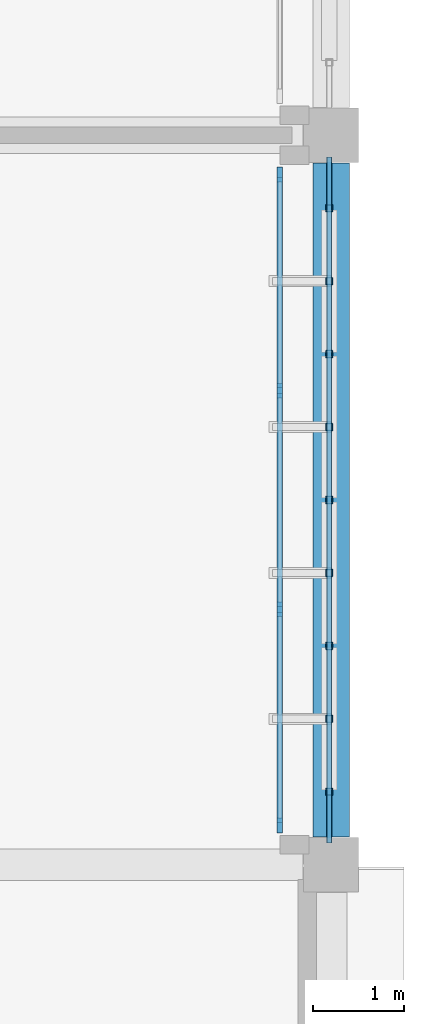
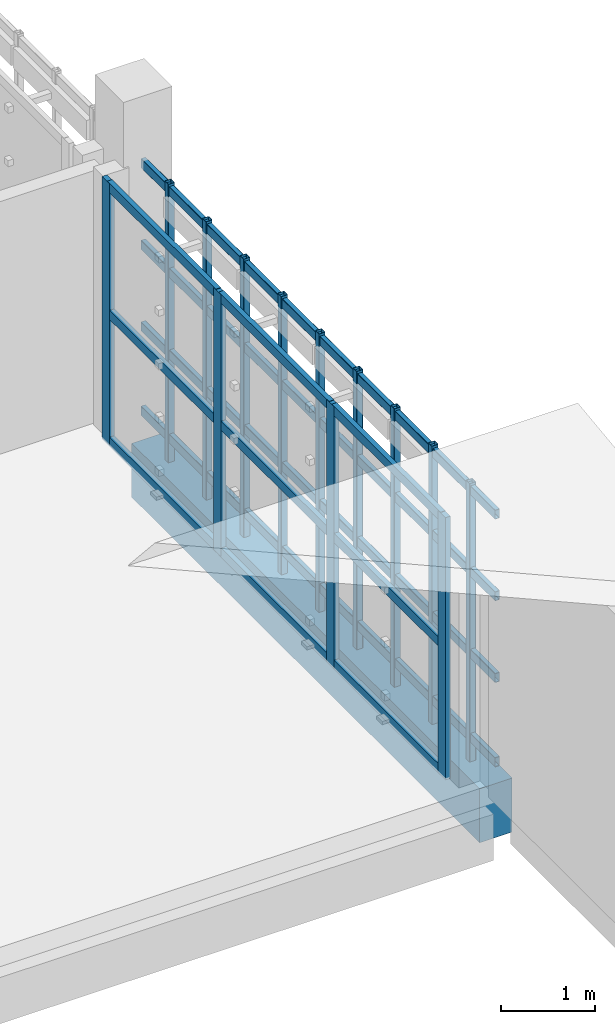
# One storey, part 48 of 83: 26 members, 1 beam, 1 element without a shape of its own.
"""IFC4 building model written with IfcOpenShell, lengths in metres."""

from ifc_helpers import new_model, si_unit, direction, frame, origin, origin_2d, place, context, subcontext, project, spatial, rectangle, hollow_rectangle, extrude, material, layer, layer_set, material_profile, profile_set, type_object, element, aggregate, save


model = new_model("IFC4")

# Units and contexts
model_context = context("Model", 3, precision=1e-05, world=origin(), true_north=direction((0.0, 1.0)))
body_context = subcontext(model_context, "Body", "Model", "MODEL_VIEW")
ifc_project = project(units=[si_unit("LENGTHUNIT", "METRE"), si_unit("AREAUNIT", "SQUARE_METRE"), si_unit("VOLUMEUNIT", "CUBIC_METRE"), si_unit("PLANEANGLEUNIT", "RADIAN"), si_unit("MASSUNIT", "GRAM", prefix="KILO")], contexts=[model_context])

# Site, building, storey
site_placement = place(None, origin())
site = spatial("IfcSite", under=ifc_project, at=site_placement, CompositionType="ELEMENT")
building_placement = place(site_placement, origin())
building = spatial("IfcBuilding", under=site, at=building_placement, Name="Jelvoka-Kovrelna Polytechnic", CompositionType="ELEMENT")
storey_placement = place(building_placement, frame((0.0, 0.0, 13.800048828125)))
storey = spatial("IfcBuildingStorey", under=building, at=storey_placement, Name="L04", CompositionType="ELEMENT", Elevation=13.800048828125)

# Beam
ifc_material_1 = material(Name="Concrete C40/50", Category="concrete")
ifc_material_profile_1 = material_profile(ifc_material_1, rectangle(XDim=0.39990234375, YDim=0.699951171875, at=origin_2d()), Name="RC 400x700")
ifc_profile_set_1 = profile_set([ifc_material_profile_1], Name="Concrete C40/50")
beam_type = type_object("IfcBeamType", Name="Beam_RC_400x700", PredefinedType="BEAM", material=ifc_profile_set_1)
beam_placement = place(storey_placement, frame((200.0, 32.304931640625, -0.60009765625), z_axis=(0.0, 1.0, 0.0), x_axis=(-1.0, 0.0, 0.0)))
element("IfcBeam", 1, at=beam_placement, inside=storey, type_object=beam_type, Name="L04 beam 1256", PredefinedType="BEAM", context=body_context, shape_type="SweptSolid", body=[
    extrude(rectangle(XDim=0.39990234375, YDim=0.699951171875, at=origin_2d()), origin(), (0.0, 0.0, 1.0), 7.39013671875),
])

# Members
ifc_material_2 = material(Name="Structural steel S355J2H", Category="steel")
ifc_material_profile_2 = material_profile(ifc_material_2, hollow_rectangle(XDim=0.06005859375, YDim=0.1201171875, WallThickness=0.0048828125, InnerFilletRadius=0.0048828125, OuterFilletRadius=0.007568359375, at=origin_2d()), Name="120x60x5.0 RHS")
ifc_profile_set_2 = profile_set([ifc_material_profile_2], Name="Structural steel S355J2H")
member_type_1 = type_object("IfcMemberType", Name="Member_Strut_RHS120", PredefinedType="STRUT", material=ifc_profile_set_2)
for number, where, z_axis, x_axis, name in (
    (2, (199.97998046875, 32.239990234375, 0.079833984375), (0.0, 1.0, 0.0), (-1.0, 0.0, 0.0), "L04 terracotta screen horizontal strut 0456"),
    (3, (199.97998046875, 32.239990234375, 1.17138671875), (0.0, 1.0, 0.0), (-1.0, 0.0, 0.0), "L04 terracotta screen horizontal strut 0457"),
    (4, (199.97998046875, 32.239990234375, 2.230712890625), (0.0, 1.0, 0.0), (-1.0, 0.0, 0.0), "L04 terracotta screen horizontal strut 0458"),
    (5, (199.97998046875, 32.239990234375, 3.2900390625), (0.0, 1.0, 0.0), (-1.0, 0.0, 0.0), "L04 terracotta screen horizontal strut 0459"),
):
    element("IfcMember", number, at=place(storey_placement, frame(where, z_axis=z_axis, x_axis=x_axis)), inside=storey, type_object=member_type_1, Name=name, PredefinedType="STRUT", context=body_context, shape_type="SweptSolid", body=[
        extrude(hollow_rectangle(XDim=0.06005859375, YDim=0.1201171875, WallThickness=0.0048828125, InnerFilletRadius=0.0048828125, OuterFilletRadius=0.007568359375, at=origin_2d()), origin(), (0.0, 0.0, 1.0), 7.52001953125),
    ])
ifc_material_3 = material(Name="Structural steel S355J2H", Category="steel")
ifc_material_profile_3 = material_profile(ifc_material_3, hollow_rectangle(XDim=0.080078125, YDim=0.080078125, WallThickness=0.0048828125, InnerFilletRadius=0.0048828125, OuterFilletRadius=0.007568359375, at=origin_2d()), Name="80x80x5.0 SHS")
ifc_profile_set_3 = profile_set([ifc_material_profile_3], Name="Structural steel S355J2H")
member_type_2 = type_object("IfcMemberType", Name="Member_Strut_SHS80", PredefinedType="STRUT", material=ifc_profile_set_3)
for number, where, z_axis, x_axis, name in (
    (6, (199.97998046875, 32.800048828125, -0.22998046875), (0.0, 0.0, 1.0), (1.0, 0.0, 0.0), "L04 terracotta lattice vertical rib 0460"),
    (7, (199.97998046875, 33.60009765625, -0.22998046875), (0.0, 0.0, 1.0), (1.0, 0.0, 0.0), "L04 terracotta lattice vertical rib 0461"),
    (8, (199.97998046875, 34.39990234375, -0.22998046875), (0.0, 0.0, 1.0), (1.0, 0.0, 0.0), "L04 terracotta lattice vertical rib 0462"),
    (9, (199.97998046875, 35.199951171875, -0.22998046875), (0.0, 0.0, 1.0), (1.0, 0.0, 0.0), "L04 terracotta lattice vertical rib 0463"),
    (10, (199.97998046875, 36.0, -0.22998046875), (0.0, 0.0, 1.0), (1.0, 0.0, 0.0), "L04 terracotta lattice vertical rib 0464"),
    (11, (199.97998046875, 36.800048828125, -0.22998046875), (0.0, 0.0, 1.0), (1.0, 0.0, 0.0), "L04 terracotta lattice vertical rib 0465"),
    (12, (199.97998046875, 37.60009765625, -0.22998046875), (0.0, 0.0, 1.0), (1.0, 0.0, 0.0), "L04 terracotta lattice vertical rib 0466"),
    (13, (199.97998046875, 38.39990234375, -0.22998046875), (0.0, 0.0, 1.0), (1.0, 0.0, 0.0), "L04 terracotta lattice vertical rib 0467"),
    (14, (199.97998046875, 39.199951171875, -0.22998046875), (0.0, 0.0, 1.0), (1.0, 0.0, 0.0), "L04 terracotta lattice vertical rib 0468"),
):
    element("IfcMember", number, at=place(storey_placement, frame(where, z_axis=z_axis, x_axis=x_axis)), inside=storey, type_object=member_type_2, Name=name, PredefinedType="STRUT", context=body_context, shape_type="SweptSolid", body=[
        extrude(hollow_rectangle(XDim=0.080078125, YDim=0.080078125, WallThickness=0.0048828125, InnerFilletRadius=0.0048828125, OuterFilletRadius=0.007568359375, at=origin_2d()), origin(), (0.0, 0.0, 1.0), 3.60986328125),
    ])

# Curtain wall, members
ifc_material_4 = material(Name="Anodised aluminium 6063-T6", Category="aluminium")
ifc_layer = layer(ifc_material_4, 0.159912109375)
ifc_layer_set = layer_set([ifc_layer], Name="Anodised aluminium 6063-T6")
curtain_wall_type = type_object("IfcCurtainWallType", Name="CW_Recessed_A", PredefinedType="NOTDEFINED", material=ifc_layer_set)
curtain_wall_placement = place(storey_placement, origin())
curtain_wall = element("IfcCurtainWall", 15, at=curtain_wall_placement, inside=storey, type_object=curtain_wall_type, Name="L04 glazed curtain wall 068", PredefinedType="NOTDEFINED")
ifc_material_5 = material(Name="Anodised aluminium 6063-T6", Category="aluminium")
ifc_material_profile_4 = material_profile(ifc_material_5, rectangle(XDim=0.06005859375, YDim=0.159912109375, at=origin_2d()), Name="ALU 60x160")
ifc_profile_set_4 = profile_set([ifc_material_profile_4], Name="Anodised aluminium 6063-T6")
member_type_3 = type_object("IfcMemberType", Name="Mullion_M-01", PredefinedType="MULLION", material=ifc_profile_set_4)
member_1_placement = place(storey_placement, frame((199.43994140625, 39.570068359375, -0.02490234375), z_axis=(0.0, 0.0, 1.0), x_axis=(1.0, 0.0, 0.0)))
member_1 = element("IfcMember", 16, at=member_1_placement, type_object=member_type_3, Name="CW-01 mullion 1", PredefinedType="MULLION", context=body_context, shape_type="SweptSolid", body=[
    extrude(rectangle(XDim=0.06005859375, YDim=0.159912109375, at=origin_2d()), origin(), (0.0, 0.0, 1.0), 3.39990234375),
])
member_2_placement = place(storey_placement, frame((199.43994140625, 37.199951171875, -0.02490234375), z_axis=(0.0, 0.0, 1.0), x_axis=(1.0, 0.0, 0.0)))
member_2 = element("IfcMember", 17, at=member_2_placement, type_object=member_type_3, Name="CW-01 mullion 2", PredefinedType="MULLION", context=body_context, shape_type="SweptSolid", body=[
    extrude(rectangle(XDim=0.06005859375, YDim=0.159912109375, at=origin_2d()), origin(), (0.0, 0.0, 1.0), 3.39990234375),
])
member_3_placement = place(storey_placement, frame((199.43994140625, 34.800048828125, -0.02490234375), z_axis=(0.0, 0.0, 1.0), x_axis=(1.0, 0.0, 0.0)))
member_3 = element("IfcMember", 18, at=member_3_placement, type_object=member_type_3, Name="CW-01 mullion 3", PredefinedType="MULLION", context=body_context, shape_type="SweptSolid", body=[
    extrude(rectangle(XDim=0.06005859375, YDim=0.159912109375, at=origin_2d()), origin(), (0.0, 0.0, 1.0), 3.39990234375),
])
member_4_placement = place(storey_placement, frame((199.43994140625, 32.429931640625, -0.02490234375), z_axis=(0.0, 0.0, 1.0), x_axis=(1.0, 0.0, 0.0)))
member_4 = element("IfcMember", 19, at=member_4_placement, type_object=member_type_3, Name="CW-01 mullion 4", PredefinedType="MULLION", context=body_context, shape_type="SweptSolid", body=[
    extrude(rectangle(XDim=0.06005859375, YDim=0.159912109375, at=origin_2d()), origin(), (0.0, 0.0, 1.0), 3.39990234375),
])
ifc_material_6 = material(Name="Anodised aluminium 6063-T6", Category="aluminium")
ifc_material_profile_5 = material_profile(ifc_material_6, rectangle(XDim=0.06005859375, YDim=0.1201171875, at=origin_2d()), Name="ALU 60x120")
ifc_profile_set_5 = profile_set([ifc_material_profile_5], Name="Anodised aluminium 6063-T6")
member_type_4 = type_object("IfcMemberType", Name="Transom_T-01", PredefinedType="USERDEFINED", material=ifc_profile_set_5)
member_5_placement = place(storey_placement, frame((199.43994140625, 39.5400390625, 0.030029296875), z_axis=(0.0, -1.0, 0.0), x_axis=(1.0, 0.0, 0.0)))
member_5 = element("IfcMember", 20, at=member_5_placement, type_object=member_type_4, Name="CW-01 transom 1.1", ObjectType="TRANSOM", PredefinedType="USERDEFINED", context=body_context, shape_type="SweptSolid", body=[
    extrude(rectangle(XDim=0.06005859375, YDim=0.1201171875, at=origin_2d()), origin(), (0.0, 0.0, 1.0), 2.31005859375),
])
member_6_placement = place(storey_placement, frame((199.43994140625, 39.5400390625, 1.675048828125), z_axis=(0.0, -1.0, 0.0), x_axis=(1.0, 0.0, 0.0)))
member_6 = element("IfcMember", 21, at=member_6_placement, type_object=member_type_4, Name="CW-01 transom 1.2", ObjectType="TRANSOM", PredefinedType="USERDEFINED", context=body_context, shape_type="SweptSolid", body=[
    extrude(rectangle(XDim=0.06005859375, YDim=0.1201171875, at=origin_2d()), origin(), (0.0, 0.0, 1.0), 2.31005859375),
])
member_7_placement = place(storey_placement, frame((199.43994140625, 39.5400390625, 3.320068359375), z_axis=(0.0, -1.0, 0.0), x_axis=(1.0, 0.0, 0.0)))
member_7 = element("IfcMember", 22, at=member_7_placement, type_object=member_type_4, Name="CW-01 transom 1.3", ObjectType="TRANSOM", PredefinedType="USERDEFINED", context=body_context, shape_type="SweptSolid", body=[
    extrude(rectangle(XDim=0.06005859375, YDim=0.1201171875, at=origin_2d()), origin(), (0.0, 0.0, 1.0), 2.31005859375),
])
member_8_placement = place(storey_placement, frame((199.43994140625, 37.169921875, 0.030029296875), z_axis=(0.0, -1.0, 0.0), x_axis=(1.0, 0.0, 0.0)))
member_8 = element("IfcMember", 23, at=member_8_placement, type_object=member_type_4, Name="CW-01 transom 2.1", ObjectType="TRANSOM", PredefinedType="USERDEFINED", context=body_context, shape_type="SweptSolid", body=[
    extrude(rectangle(XDim=0.06005859375, YDim=0.1201171875, at=origin_2d()), origin(), (0.0, 0.0, 1.0), 2.33984375),
])
member_9_placement = place(storey_placement, frame((199.43994140625, 37.169921875, 1.675048828125), z_axis=(0.0, -1.0, 0.0), x_axis=(1.0, 0.0, 0.0)))
member_9 = element("IfcMember", 24, at=member_9_placement, type_object=member_type_4, Name="CW-01 transom 2.2", ObjectType="TRANSOM", PredefinedType="USERDEFINED", context=body_context, shape_type="SweptSolid", body=[
    extrude(rectangle(XDim=0.06005859375, YDim=0.1201171875, at=origin_2d()), origin(), (0.0, 0.0, 1.0), 2.33984375),
])
member_10_placement = place(storey_placement, frame((199.43994140625, 37.169921875, 3.320068359375), z_axis=(0.0, -1.0, 0.0), x_axis=(1.0, 0.0, 0.0)))
member_10 = element("IfcMember", 25, at=member_10_placement, type_object=member_type_4, Name="CW-01 transom 2.3", ObjectType="TRANSOM", PredefinedType="USERDEFINED", context=body_context, shape_type="SweptSolid", body=[
    extrude(rectangle(XDim=0.06005859375, YDim=0.1201171875, at=origin_2d()), origin(), (0.0, 0.0, 1.0), 2.33984375),
])
member_11_placement = place(storey_placement, frame((199.43994140625, 34.77001953125, 0.030029296875), z_axis=(0.0, -1.0, 0.0), x_axis=(1.0, 0.0, 0.0)))
member_11 = element("IfcMember", 26, at=member_11_placement, type_object=member_type_4, Name="CW-01 transom 3.1", ObjectType="TRANSOM", PredefinedType="USERDEFINED", context=body_context, shape_type="SweptSolid", body=[
    extrude(rectangle(XDim=0.06005859375, YDim=0.1201171875, at=origin_2d()), origin(), (0.0, 0.0, 1.0), 2.31005859375),
])
member_12_placement = place(storey_placement, frame((199.43994140625, 34.77001953125, 1.675048828125), z_axis=(0.0, -1.0, 0.0), x_axis=(1.0, 0.0, 0.0)))
member_12 = element("IfcMember", 27, at=member_12_placement, type_object=member_type_4, Name="CW-01 transom 3.2", ObjectType="TRANSOM", PredefinedType="USERDEFINED", context=body_context, shape_type="SweptSolid", body=[
    extrude(rectangle(XDim=0.06005859375, YDim=0.1201171875, at=origin_2d()), origin(), (0.0, 0.0, 1.0), 2.31005859375),
])
member_13_placement = place(storey_placement, frame((199.43994140625, 34.77001953125, 3.320068359375), z_axis=(0.0, -1.0, 0.0), x_axis=(1.0, 0.0, 0.0)))
member_13 = element("IfcMember", 28, at=member_13_placement, type_object=member_type_4, Name="CW-01 transom 3.3", ObjectType="TRANSOM", PredefinedType="USERDEFINED", context=body_context, shape_type="SweptSolid", body=[
    extrude(rectangle(XDim=0.06005859375, YDim=0.1201171875, at=origin_2d()), origin(), (0.0, 0.0, 1.0), 2.31005859375),
])
aggregate(curtain_wall, [member_1, member_2, member_3, member_4, member_5, member_6, member_7, member_8, member_9, member_10, member_11, member_12, member_13])

save(model, "model.ifc")
